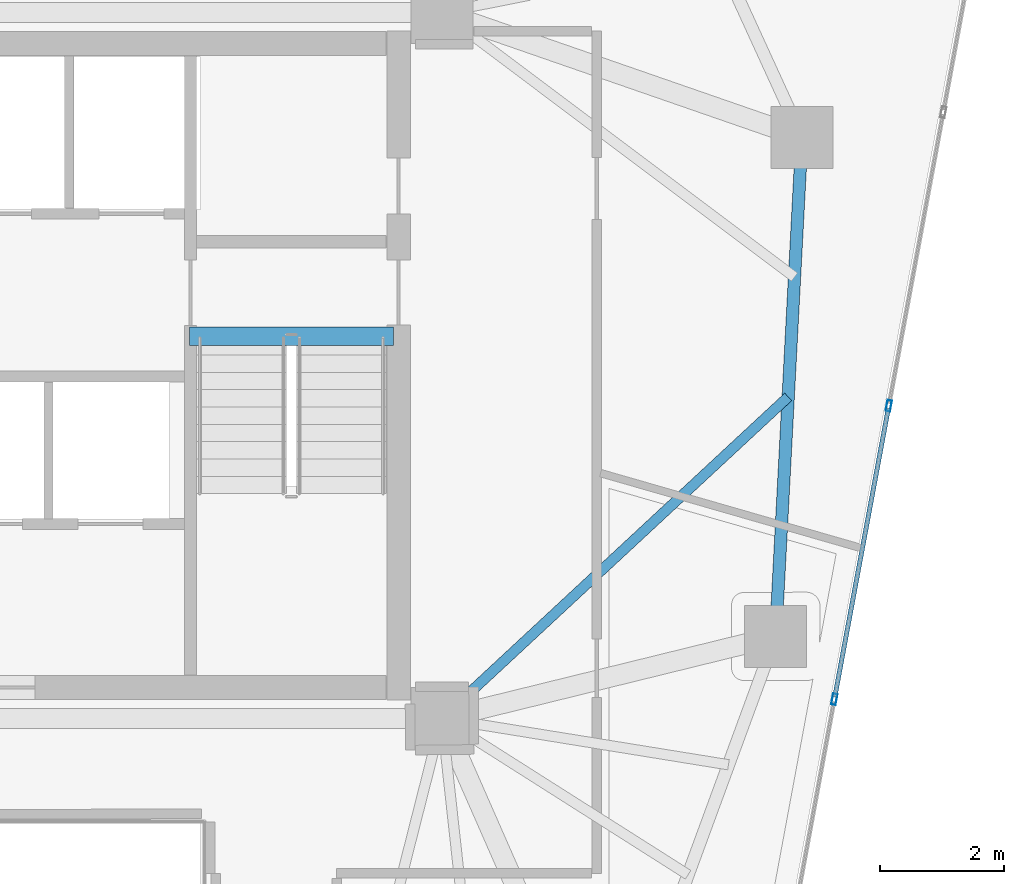
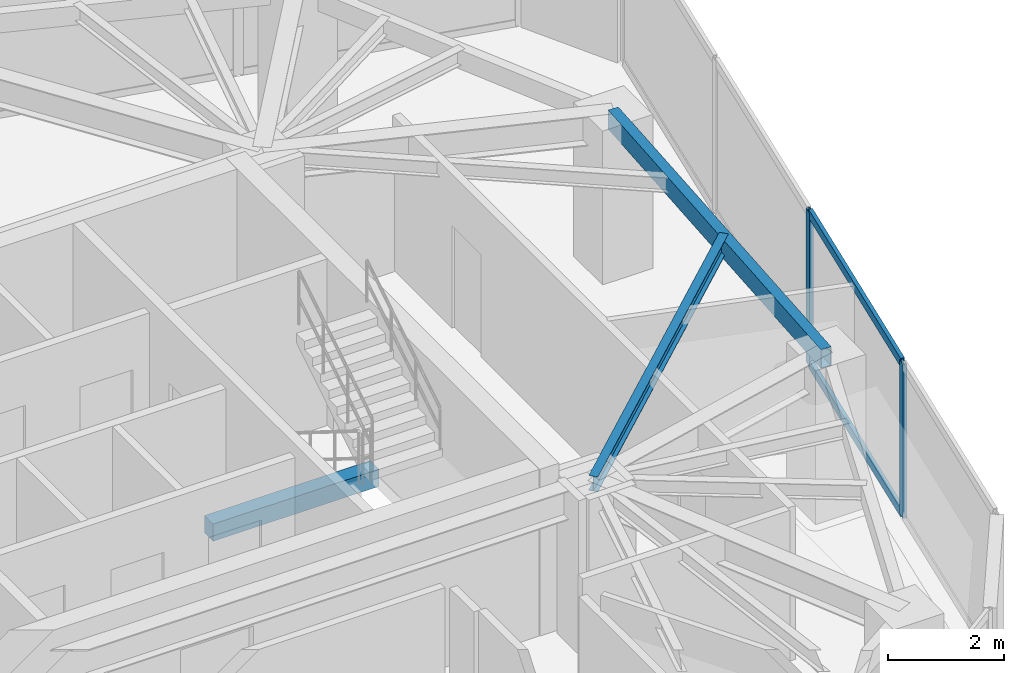
# One storey, part 9 of 19: 4 members, 3 beams, 1 element without a shape of its own.
"""IFC4 building model written with IfcOpenShell, lengths in metres."""

from ifc_helpers import new_model, si_unit, direction, frame, origin, origin_2d, place, context, subcontext, project, spatial, rectangle, hollow_rectangle, i_section, extrude, source, transform, mapped, material, layer, layer_set, material_profile, profile_set, type_object, type_shapes, element, aggregate, save


model = new_model("IFC4")

# Units and contexts
model_context = context("Model", 3, precision=1e-05, world=origin(), true_north=direction((0.0, 1.0)))
body_context = subcontext(model_context, "Body", "Model", "MODEL_VIEW")
ifc_project = project(units=[si_unit("LENGTHUNIT", "METRE"), si_unit("AREAUNIT", "SQUARE_METRE"), si_unit("VOLUMEUNIT", "CUBIC_METRE"), si_unit("PLANEANGLEUNIT", "RADIAN"), si_unit("MASSUNIT", "GRAM", prefix="KILO")], contexts=[model_context])

# Site, building, storey
site_placement = place(None, origin())
site = spatial("IfcSite", under=ifc_project, at=site_placement, CompositionType="ELEMENT")
building_placement = place(site_placement, origin())
building = spatial("IfcBuilding", under=site, at=building_placement, Name="Talar Marvaseh", CompositionType="ELEMENT")
storey_placement = place(building_placement, frame((0.0, 0.0, 195.0)))
storey = spatial("IfcBuildingStorey", under=building, at=storey_placement, Name="L51", CompositionType="ELEMENT", Elevation=195.0)

# Beams
ifc_material_1 = material(Name="Concrete C40/50", Category="concrete")
ifc_material_profile_1 = material_profile(ifc_material_1, rectangle(XDim=0.300048828125, YDim=0.360107421875, at=origin_2d()), Name="RC300x360")
ifc_profile_set_1 = profile_set([ifc_material_profile_1], Name="Concrete C40/50")
beam_type_1 = type_object("IfcBeamType", Name="Concrete Stair Landing Trimmer Beam RC300x360", PredefinedType="SPANDREL", material=ifc_profile_set_1)
beam_1_placement = place(storey_placement, frame((29.219970703125, 31.669921875, -0.179931640625), z_axis=(1.0, 0.0, 0.0), x_axis=(0.0, 1.0, 0.0)))
element("IfcBeam", 1, at=beam_1_placement, inside=storey, type_object=beam_type_1, Name="L51 ST-2 Stair Nosing Trimmer Beam", PredefinedType="SPANDREL", context=body_context, shape_type="SweptSolid", body=[
    extrude(rectangle(XDim=0.300048828125, YDim=0.360107421875, at=origin_2d()), origin(), (0.0, 0.0, 1.0), 3.300048828125),
])
ifc_material_2 = material(Name="Steel S355", Category="steel")
ifc_material_profile_2 = material_profile(ifc_material_2, hollow_rectangle(XDim=0.199951171875, YDim=0.39990234375, WallThickness=0.013916015625, at=origin_2d()), Name="RHS400x200x14")
ifc_profile_set_2 = profile_set([ifc_material_profile_2], Name="Steel S355")
beam_type_2 = type_object("IfcBeamType", Name="Zone 3 Perimeter Spandrel Beam RHS400x200x14", PredefinedType="SPANDREL", material=ifc_profile_set_2)
beam_2_placement = place(storey_placement, frame((39.113037109375, 34.884033203125, 3.030029296875), z_axis=(-0.052541369293, -0.998618748328, 0.0), x_axis=(0.998618748328, -0.052541369293, 0.0)))
element("IfcBeam", 2, at=beam_2_placement, inside=storey, type_object=beam_type_2, Name="L51 Zone 3 Perimeter Spandrel Beam RHS400x200x14", PredefinedType="SPANDREL", context=body_context, shape_type="SweptSolid", body=[
    extrude(hollow_rectangle(XDim=0.199951171875, YDim=0.39990234375, WallThickness=0.013916015625, at=origin_2d()), origin(), (0.0, 0.0, 1.0), 8.0712890625),
])
ifc_material_profile_3 = material_profile(ifc_material_2, i_section(OverallWidth=0.166015625, OverallDepth=0.31298828125, WebThickness=0.006591796875, FlangeThickness=0.01123046875, at=origin_2d()), Name="W310x45")
ifc_profile_set_3 = profile_set([ifc_material_profile_3], Name="Steel S355")
beam_type_3 = type_object("IfcBeamType", Name="Zone 3 Secondary Floor Joist W310x45", PredefinedType="JOIST", material=ifc_profile_set_3)
beam_3_placement = place(storey_placement, frame((38.892578125, 30.69287109375, 3.073486328125), z_axis=(-0.73280602476, -0.680437601897, 0.0), x_axis=(0.680437601897, -0.73280602476, 0.0)))
element("IfcBeam", 3, at=beam_3_placement, inside=storey, type_object=beam_type_3, Name="L51 Zone 3 Secondary Floor Joist W310x45", PredefinedType="JOIST", context=body_context, shape_type="SweptSolid", body=[
    extrude(i_section(OverallWidth=0.166015625, OverallDepth=0.31298828125, WebThickness=0.006591796875, FlangeThickness=0.01123046875, at=origin_2d()), origin(), (0.0, 0.0, 1.0), 7.631591796875),
])

# Curtain wall, members
ifc_material_3 = material(Name="Architectural Aluminium", Category="aluminium")
ifc_layer = layer(ifc_material_3, 0.18994140625)
ifc_layer_set = layer_set([ifc_layer], Name="Architectural Aluminium")
curtain_wall_type = type_object("IfcCurtainWallType", Name="Unitised Solar Atelier Curtain Wall Z3", PredefinedType="NOTDEFINED", material=ifc_layer_set)
curtain_wall_placement = place(storey_placement, origin())
curtain_wall = element("IfcCurtainWall", 4, at=curtain_wall_placement, inside=storey, type_object=curtain_wall_type, Name="L51 Unitised Solar Atelier Curtain Wall Z3", PredefinedType="NOTDEFINED")
ifc_material_profile_4 = material_profile(ifc_material_3, hollow_rectangle(XDim=0.074951171875, YDim=0.179931640625, WallThickness=0.0048828125, at=origin_2d()), Name="RHS180x75x5")
ifc_profile_set_4 = profile_set([ifc_material_profile_4], Name="Architectural Aluminium")
member_type_1 = type_object("IfcMemberType", Name="Unitised Curtain Wall Standard Mullion RHS180x75x5", PredefinedType="MULLION", material=ifc_profile_set_4)
shared_shape_1 = source(origin(), body_context, "Body", "SweptSolid", [
    extrude(hollow_rectangle(XDim=0.074951171875, YDim=0.179931640625, WallThickness=0.0048828125, at=origin_2d()), origin(), (0.0, 0.0, 1.0), 3.22998046875),
])
type_shapes(member_type_1, [shared_shape_1])
member_1_placement = place(storey_placement, frame((40.51708984375, 30.55029296875, 0.0), z_axis=(0.0, 0.0, 1.0), x_axis=(0.983226848448, -0.182386853944, 0.0)))
member_1 = element("IfcMember", 5, at=member_1_placement, type_object=member_type_1, Name="CW-Z3 mullion 3", PredefinedType="MULLION", context=body_context, shape_type="MappedRepresentation", body=[
    mapped(shared_shape_1, transform((0.0, 0.0, 0.0), x_axis=(1.0, 0.0, 0.0), y_axis=(0.0, 1.0, 0.0), z_axis=(0.0, 0.0, 1.0), scale=1.0)),
])
member_2_placement = place(storey_placement, frame((39.6376953125, 25.80908203125, 0.0), z_axis=(0.0, 0.0, 1.0), x_axis=(0.983226848448, -0.182386853944, 0.0)))
member_2 = element("IfcMember", 6, at=member_2_placement, type_object=member_type_1, Name="CW-Z3 mullion 4", PredefinedType="MULLION", context=body_context, shape_type="MappedRepresentation", body=[
    mapped(shared_shape_1, transform((0.0, 0.0, 0.0), x_axis=(1.0, 0.0, 0.0), y_axis=(0.0, 1.0, 0.0), z_axis=(0.0, 0.0, 1.0), scale=1.0)),
])
ifc_material_profile_5 = material_profile(ifc_material_3, hollow_rectangle(XDim=0.074951171875, YDim=0.179931640625, WallThickness=0.0048828125, at=origin_2d()), Name="RHS180x75x5")
ifc_profile_set_5 = profile_set([ifc_material_profile_5], Name="Architectural Aluminium")
member_type_2 = type_object("IfcMemberType", Name="Unitised Curtain Wall Transom RHS180x75x5", PredefinedType="USERDEFINED", material=ifc_profile_set_5)
shared_shape_2 = source(origin(), body_context, "Body", "SweptSolid", [
    extrude(hollow_rectangle(XDim=0.074951171875, YDim=0.179931640625, WallThickness=0.0048828125, at=origin_2d()), origin(), (0.0, 0.0, 1.0), 4.7470703125),
])
type_shapes(member_type_2, [shared_shape_2])
member_3_placement = place(storey_placement, frame((40.51025390625, 30.513427734375, 0.03759765625), z_axis=(-0.18236918234, -0.983230126335, 0.0), x_axis=(0.983230126335, -0.18236918234, 0.0)))
member_3 = element("IfcMember", 7, at=member_3_placement, type_object=member_type_2, Name="CW-Z3 transom 3.1", ObjectType="TRANSOM", PredefinedType="USERDEFINED", context=body_context, shape_type="MappedRepresentation", body=[
    mapped(shared_shape_2, transform((0.0, 0.0, 0.0), x_axis=(1.0, 0.0, 0.0), y_axis=(0.0, 1.0, 0.0), z_axis=(0.0, 0.0, 1.0), scale=1.0)),
])
member_4_placement = place(storey_placement, frame((40.51025390625, 30.513427734375, 3.1923828125), z_axis=(-0.18236918234, -0.983230126335, 0.0), x_axis=(0.983230126335, -0.18236918234, 0.0)))
member_4 = element("IfcMember", 8, at=member_4_placement, type_object=member_type_2, Name="CW-Z3 transom 3.2", ObjectType="TRANSOM", PredefinedType="USERDEFINED", context=body_context, shape_type="MappedRepresentation", body=[
    mapped(shared_shape_2, transform((0.0, 0.0, 0.0), x_axis=(1.0, 0.0, 0.0), y_axis=(0.0, 1.0, 0.0), z_axis=(0.0, 0.0, 1.0), scale=1.0)),
])
aggregate(curtain_wall, [member_1, member_2, member_3, member_4])

save(model, "model.ifc")
